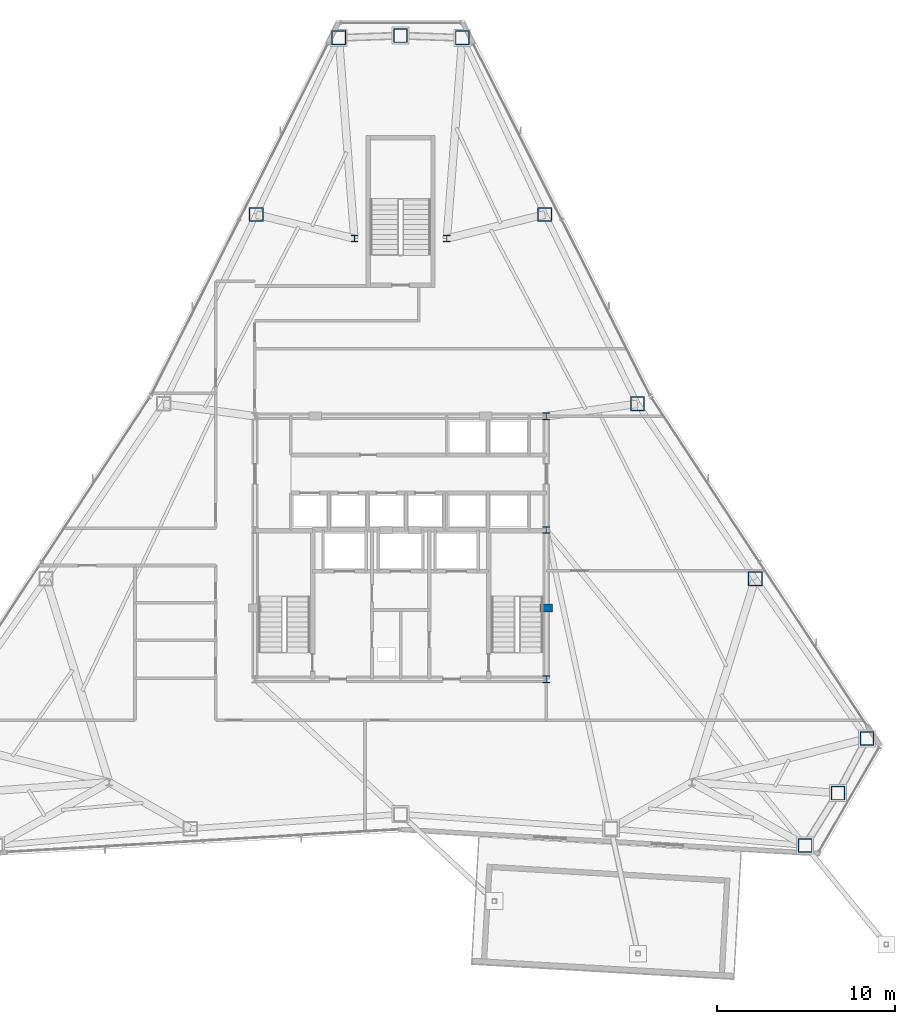
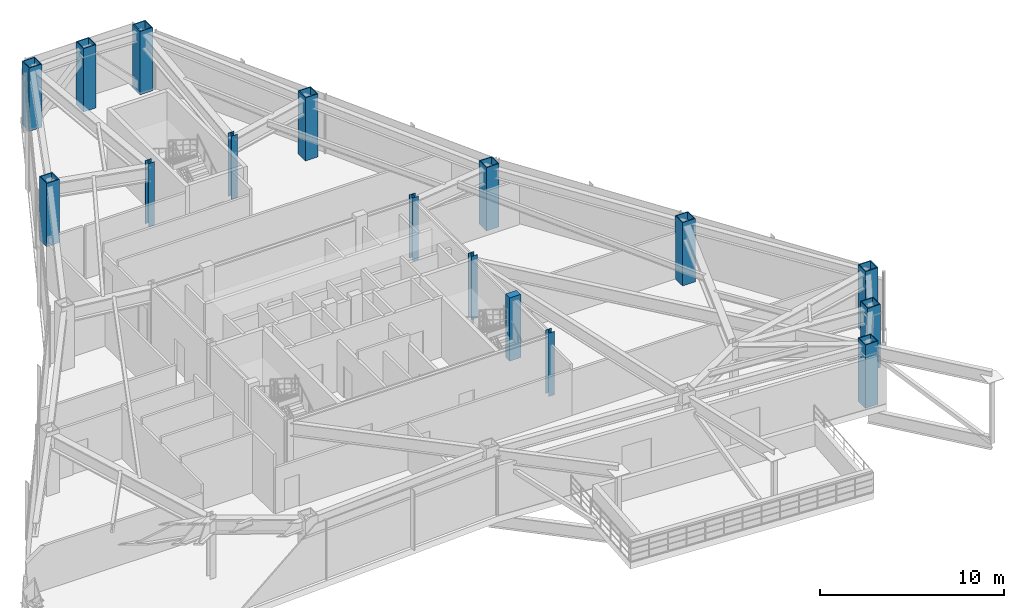
# One storey, part 2 of 13: 16 columns.
"""IFC4 building model written with IfcOpenShell, lengths in metres."""

from ifc_helpers import new_model, si_unit, direction, frame, origin, origin_2d, place, context, subcontext, project, spatial, rectangle, hollow_rectangle, i_section, extrude, material, material_profile, profile_set, type_object, element, save


model = new_model("IFC4")

# Units and contexts
model_context = context("Model", 3, precision=1e-05, world=origin(), true_north=direction((0.0, 1.0)))
body_context = subcontext(model_context, "Body", "Model", "MODEL_VIEW")
ifc_project = project(units=[si_unit("LENGTHUNIT", "METRE"), si_unit("AREAUNIT", "SQUARE_METRE"), si_unit("VOLUMEUNIT", "CUBIC_METRE"), si_unit("PLANEANGLEUNIT", "RADIAN"), si_unit("MASSUNIT", "GRAM", prefix="KILO")], contexts=[model_context])

# Site, building, storey
site_placement = place(None, origin())
site = spatial("IfcSite", under=ifc_project, at=site_placement, CompositionType="ELEMENT")
building_placement = place(site_placement, origin())
building = spatial("IfcBuilding", under=site, at=building_placement, Name="Varakhsha Concourse Tower", CompositionType="ELEMENT")
storey_placement = place(building_placement, frame((0.0, 0.0, 196.5)))
storey = spatial("IfcBuildingStorey", under=building, at=storey_placement, Name="L56", CompositionType="ELEMENT", Elevation=196.5)

# Columns
ifc_material_1 = material(Name="Structural Steel ASTM A992 Grade 50", Category="steel")
ifc_material_profile_1 = material_profile(ifc_material_1, i_section(OverallWidth=0.3740234375, OverallDepth=0.3720703125, WebThickness=0.01611328125, FlangeThickness=0.02587890625, at=origin_2d()), Name="W14X132")
ifc_profile_set_1 = profile_set([ifc_material_profile_1], Name="Structural Steel ASTM A992 Grade 50")
column_type_1 = type_object("IfcColumnType", Name="CL-CORE-W14X132", PredefinedType="COLUMN", material=ifc_profile_set_1)
for number, where, z_axis, x_axis, name in (
    (1, (48.199951171875, 16.39990234375, 0.0), (0.0, 0.0, 1.0), (1.0, 0.0, 0.0), "L56 Core Column CC-SE"),
    (2, (48.199951171875, 24.800048828125, 0.0), (0.0, 0.0, 1.0), (1.0, 0.0, 0.0), "L56 Core Column CC-ME"),
    (3, (48.199951171875, 31.199951171875, 0.0), (0.0, 0.0, 1.0), (1.0, 0.0, 0.0), "L56 Core Column CC-NE"),
    (4, (37.39990234375, 41.199951171875, 0.0), (0.0, 0.0, 1.0), (1.0, 0.0, 0.0), "L56 Core Column NS-W"),
    (5, (42.60009765625, 41.199951171875, 0.0), (0.0, 0.0, 1.0), (1.0, 0.0, 0.0), "L56 Core Column NS-E"),
):
    element("IfcColumn", number, at=place(storey_placement, frame(where, z_axis=z_axis, x_axis=x_axis)), inside=storey, type_object=column_type_1, Name=name, PredefinedType="COLUMN", context=body_context, shape_type="SweptSolid", body=[
        extrude(i_section(OverallWidth=0.3740234375, OverallDepth=0.3720703125, WebThickness=0.01611328125, FlangeThickness=0.02587890625, at=origin_2d()), origin(), (0.0, 0.0, 1.0), 4.199951171875),
    ])
ifc_material_2 = material(Name="Concrete fc 65 MPa", Category="concrete")
ifc_material_profile_2 = material_profile(ifc_material_2, rectangle(XDim=0.699951171875, YDim=0.449951171875, at=origin_2d()), Name="RC 700x450")
ifc_profile_set_2 = profile_set([ifc_material_profile_2], Name="Concrete fc 65 MPa")
column_type_2 = type_object("IfcColumnType", Name="CL-PIL-700X450", PredefinedType="PILASTER", material=ifc_profile_set_2)
column_placement = place(storey_placement, frame((48.199951171875, 20.39990234375, 0.0), z_axis=(0.0, 0.0, 1.0), x_axis=(1.0, 0.0, 0.0)))
element("IfcColumn", 6, at=column_placement, inside=storey, type_object=column_type_2, Name="L56 Core Boundary Pilaster PIL-E1", PredefinedType="PILASTER", context=body_context, shape_type="SweptSolid", body=[
    extrude(rectangle(XDim=0.699951171875, YDim=0.449951171875, at=origin_2d()), origin(), (0.0, 0.0, 1.0), 4.199951171875),
])
ifc_material_3 = material(Name="Structural Steel ASTM A572 Grade 50", Category="steel")
ifc_material_profile_3 = material_profile(ifc_material_3, hollow_rectangle(XDim=0.800048828125, YDim=0.800048828125, WallThickness=0.054931640625, at=origin_2d()), Name="BOX 800x800x55")
ifc_profile_set_3 = profile_set([ifc_material_profile_3], Name="Structural Steel ASTM A572 Grade 50")
column_type_3 = type_object("IfcColumnType", Name="CL-TUBE-800", PredefinedType="COLUMN", material=ifc_profile_set_3)
for number, where, z_axis, x_axis, name in (
    (7, (43.4765625, 52.493408203125, 0.0), (0.0, 0.0, 1.0), (1.0, 0.0, 0.0), "L56 Framed-Tube Column TC01"),
    (8, (40.0, 52.617919921875, 0.0), (0.0, 0.0, 1.0), (1.0, 0.0, 0.0), "L56 Framed-Tube Column TC02"),
    (9, (36.5234375, 52.493408203125, 0.0), (0.0, 0.0, 1.0), (1.0, 0.0, 0.0), "L56 Framed-Tube Column TC03"),
    (10, (31.88232421875, 42.55517578125, 0.0), (0.0, 0.0, 1.0), (1.0, 0.0, 0.0), "L56 Framed-Tube Column TC04"),
    (11, (62.764404296875, 7.04248046875, 0.0), (0.0, 0.0, 1.0), (1.0, 0.0, 0.0), "L56 Framed-Tube Column TC13"),
    (12, (64.610595703125, 9.990966796875, 0.0), (0.0, 0.0, 1.0), (1.0, 0.0, 0.0), "L56 Framed-Tube Column TC14"),
    (13, (66.2412109375, 13.06396484375, 0.0), (0.0, 0.0, 1.0), (1.0, 0.0, 0.0), "L56 Framed-Tube Column TC15"),
    (14, (59.954833984375, 22.052490234375, 0.0), (0.0, 0.0, 1.0), (1.0, 0.0, 0.0), "L56 Framed-Tube Column TC16"),
    (15, (53.331298828125, 31.89697265625, 0.0), (0.0, 0.0, 1.0), (1.0, 0.0, 0.0), "L56 Framed-Tube Column TC17"),
    (16, (48.11767578125, 42.55517578125, 0.0), (0.0, 0.0, 1.0), (1.0, 0.0, 0.0), "L56 Framed-Tube Column TC18"),
):
    element("IfcColumn", number, at=place(storey_placement, frame(where, z_axis=z_axis, x_axis=x_axis)), inside=storey, type_object=column_type_3, Name=name, PredefinedType="COLUMN", context=body_context, shape_type="SweptSolid", body=[
        extrude(hollow_rectangle(XDim=0.800048828125, YDim=0.800048828125, WallThickness=0.054931640625, at=origin_2d()), origin(), (0.0, 0.0, 1.0), 4.199951171875),
    ])

save(model, "model.ifc")
